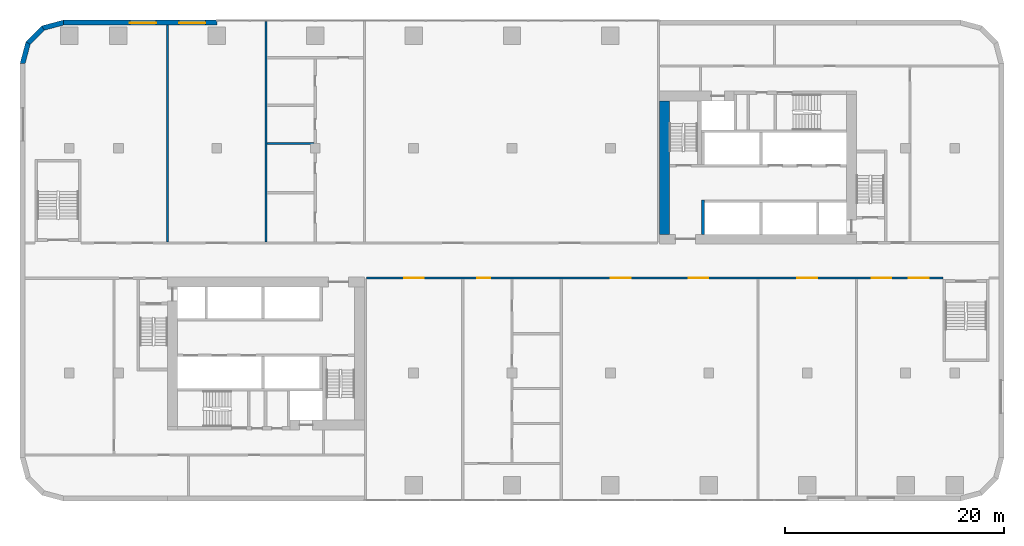
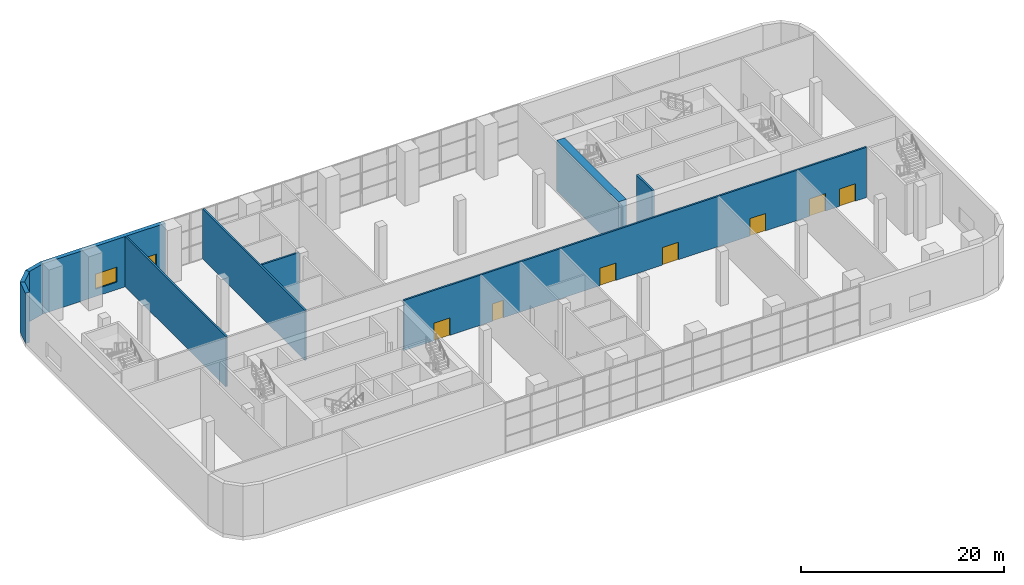
# One storey, part 10 of 24: 10 walls, 7 doors, 2 windows, 9 openings.
"""IFC4 building model written with IfcOpenShell, lengths in metres."""

from ifc_helpers import new_model, si_unit, direction, frame, frame_2d, origin, place, context, subcontext, project, spatial, polyline, rectangle, outline, extrude, material, layer, layer_set, type_object, element, fill, save


model = new_model("IFC4")

# Units and contexts
model_context = context("Model", 3, precision=1e-05, world=origin(), true_north=direction((0.0, 1.0)))
body_context = subcontext(model_context, "Body", "Model", "MODEL_VIEW")
ifc_project = project(units=[si_unit("LENGTHUNIT", "METRE"), si_unit("AREAUNIT", "SQUARE_METRE"), si_unit("VOLUMEUNIT", "CUBIC_METRE"), si_unit("PLANEANGLEUNIT", "RADIAN"), si_unit("MASSUNIT", "GRAM", prefix="KILO")], contexts=[model_context])

# Site, building, storey
site_placement = place(None, origin())
site = spatial("IfcSite", under=ifc_project, at=site_placement, CompositionType="ELEMENT")
building_placement = place(site_placement, origin())
building = spatial("IfcBuilding", under=site, at=building_placement, Name="Kajstack Hotel Tower", CompositionType="ELEMENT")
storey_placement = place(building_placement, frame((0.0, 0.0, 17.0)))
storey = spatial("IfcBuildingStorey", under=building, at=storey_placement, Name="L02", CompositionType="ELEMENT", Elevation=17.0)

# Wall
ifc_material_1 = material(Name="Concrete C60/75", Category="concrete")
ifc_layer_1 = layer(ifc_material_1, 0.89990234375)
ifc_layer_set_1 = layer_set([ifc_layer_1], Name="Core wall 900")
wall_type_1 = type_object("IfcWallType", Name="Core wall 900", PredefinedType="SHEAR", material=ifc_layer_set_1)
wall_1_placement = place(storey_placement, frame((13.949951171875, 2.39990234375, 0.0), z_axis=(0.0, 0.0, 1.0), x_axis=(0.0, 1.0, 0.0)))
element("IfcWall", 1, at=wall_1_placement, inside=storey, type_object=wall_type_1, Name="Core wall E RE", PredefinedType="SHEAR", context=body_context, shape_type="SweptSolid", body=[
    extrude(rectangle(XDim=12.2001953125, YDim=0.89990234375, at=frame_2d((6.10009765625, 0.0))), origin(), (0.0, 0.0, 1.0), 6.050048828125),
])

# Wall, openings, windows
ifc_material_2 = material(Name="Terracotta-faced brick masonry", Category="masonry")
ifc_layer_2 = layer(ifc_material_2, 0.449951171875)
ifc_layer_set_2 = layer_set([ifc_layer_2], Name="EW-TERRA")
wall_type_2 = type_object("IfcWallType", Name="EW-TERRA", PredefinedType="SOLIDWALL", material=ifc_layer_set_2)
wall_2_placement = place(storey_placement, frame((-27.0, 21.77490234375, 0.0), z_axis=(0.0, 0.0, 1.0), x_axis=(-1.0, 0.0, 0.0)))
wall_2 = element("IfcWall", 2, at=wall_2_placement, inside=storey, type_object=wall_type_2, Name="E-wall-L02-11-03", PredefinedType="SOLIDWALL", context=body_context, shape_type="SweptSolid", body=[
    extrude(rectangle(XDim=14.0, YDim=0.449951171875, at=frame_2d((7.0, 0.0))), origin(), (0.0, 0.0, 1.0), 6.050048828125),
])
opening_1_placement = place(wall_2_placement, frame((1.050048828125, 0.0, 0.89990234375)))
opening_1 = element("IfcOpeningElement", 3, at=opening_1_placement, cuts=wall_2, Name="Opening W4", PredefinedType="OPENING", context=body_context, shape_type="SweptSolid", body=[
    extrude(rectangle(XDim=2.39990234375, YDim=1.800048828125, at=frame_2d((1.199951171875, 0.89990234375))), frame((0.0, 0.23486328125, 0.0), z_axis=(0.0, -1.0, 0.0), x_axis=(1.0, 0.0, 0.0)), (0.0, 0.0, 1.0), 0.469970703125),
])
opening_2_placement = place(wall_2_placement, frame((5.550048828125, 0.0, 0.89990234375)))
opening_2 = element("IfcOpeningElement", 4, at=opening_2_placement, cuts=wall_2, Name="Opening W4", PredefinedType="OPENING", context=body_context, shape_type="SweptSolid", body=[
    extrude(rectangle(XDim=2.39990234375, YDim=1.800048828125, at=frame_2d((1.199951171875, 0.89990234375))), frame((0.0, 0.23486328125, 0.0), z_axis=(0.0, -1.0, 0.0), x_axis=(1.0, 0.0, 0.0)), (0.0, 0.0, 1.0), 0.469970703125),
])
ifc_material_3 = material(Name="Timber-aluminium window, triple glazed", Category="wood")
window_type = type_object("IfcWindowType", Name="WP1", PartitioningType="SINGLE_PANEL", PredefinedType="WINDOW", material=ifc_material_3)
window_1_placement = place(opening_1_placement, origin())
window_1 = element("IfcWindow", 5, at=window_1_placement, inside=storey, type_object=window_type, Name="Window W4 L02-11", OverallHeight=1.800048828125, OverallWidth=2.39990234375, PartitioningType="SINGLE_PANEL", PredefinedType="WINDOW", context=body_context, shape_type="SweptSolid", body=[
    extrude(rectangle(XDim=2.39990234375, YDim=1.800048828125, at=frame_2d((1.199951171875, 0.89990234375))), frame((0.0, 0.090087890625, 0.0), z_axis=(0.0, -1.0, 0.0), x_axis=(1.0, 0.0, 0.0)), (0.0, 0.0, 1.0), 0.06005859375),
])
fill(opening_1, window_1)
window_2_placement = place(opening_2_placement, origin())
window_2 = element("IfcWindow", 6, at=window_2_placement, inside=storey, type_object=window_type, Name="Window W4 L02-11", OverallHeight=1.800048828125, OverallWidth=2.39990234375, PartitioningType="SINGLE_PANEL", PredefinedType="WINDOW", context=body_context, shape_type="SweptSolid", body=[
    extrude(rectangle(XDim=2.39990234375, YDim=1.800048828125, at=frame_2d((1.199951171875, 0.89990234375))), frame((0.0, 0.090087890625, 0.0), z_axis=(0.0, -1.0, 0.0), x_axis=(1.0, 0.0, 0.0)), (0.0, 0.0, 1.0), 0.06005859375),
])
fill(opening_2, window_2)

# Walls
wall_3_placement = place(storey_placement, frame((-40.941650390625, 21.78271484375, 0.0), z_axis=(0.0, 0.0, 1.0), x_axis=(-0.965926999034, -0.25881466832, 0.0)))
element("IfcWall", 7, at=wall_3_placement, inside=storey, type_object=wall_type_2, Name="E-wall-L02-12-00", PredefinedType="SOLIDWALL", context=body_context, shape_type="SweptSolid", body=[
    extrude(outline(polyline([(0.000244140625, -0.22509765625), (2.070556640625, -0.224853515625), (1.9501953125, 0.22509765625), (0.12060546875, 0.22509765625), (0.000244140625, -0.22509765625)])), origin(), (0.0, 0.0, 1.0), 6.050048828125),
])
wall_4_placement = place(storey_placement, frame((-42.8408203125, 21.304931640625, 0.0), z_axis=(0.0, 0.0, 1.0), x_axis=(-0.707106781187, -0.707106781187, 0.0)))
element("IfcWall", 8, at=wall_4_placement, inside=storey, type_object=wall_type_2, Name="E-wall-L02-13-00", PredefinedType="SOLIDWALL", context=body_context, shape_type="SweptSolid", body=[
    extrude(outline(polyline([(0.0, -0.22509765625), (2.070556640625, -0.22509765625), (1.949951171875, 0.224853515625), (0.12060546875, 0.224853515625), (0.0, -0.22509765625)])), origin(), (0.0, 0.0, 1.0), 6.050048828125),
])
wall_5_placement = place(storey_placement, frame((-44.246826171875, 19.941650390625, 0.0), z_axis=(0.0, 0.0, 1.0), x_axis=(-0.25881466832, -0.965926999034, 0.0)))
element("IfcWall", 9, at=wall_5_placement, inside=storey, type_object=wall_type_2, Name="E-wall-L02-14-00", PredefinedType="SOLIDWALL", context=body_context, shape_type="SweptSolid", body=[
    extrude(outline(polyline([(-0.000244140625, -0.224853515625), (2.0703125, -0.22509765625), (1.949951171875, 0.22509765625), (0.120361328125, 0.22509765625), (-0.000244140625, -0.224853515625)])), origin(), (0.0, 0.0, 1.0), 6.050048828125),
])
ifc_material_4 = material(Name="Gypsum board on steel studs, mineral wool", Category="steel")
ifc_layer_3 = layer(ifc_material_4, 0.199951171875)
ifc_layer_set_3 = layer_set([ifc_layer_3], Name="Public partition 200")
wall_type_3 = type_object("IfcWallType", Name="Public partition 200", PredefinedType="PARTITIONING", material=ifc_layer_set_3)
wall_6_placement = place(storey_placement, frame((-22.39990234375, 10.699951171875, 0.0), z_axis=(0.0, 0.0, 1.0), x_axis=(1.0, 0.0, 0.0)))
element("IfcWall", 10, at=wall_6_placement, inside=storey, type_object=wall_type_3, Name="Partition C1wP1", PredefinedType="PARTITIONING", context=body_context, shape_type="SweptSolid", body=[
    extrude(rectangle(XDim=4.2998046875, YDim=0.199951171875, at=frame_2d((2.14990234375, 0.0))), origin(), (0.0, 0.0, 1.0), 6.050048828125),
])
wall_7_placement = place(storey_placement, frame((-22.5, 1.699951171875, 0.0), z_axis=(0.0, 0.0, 1.0), x_axis=(0.0, 1.0, 0.0)))
element("IfcWall", 11, at=wall_7_placement, inside=storey, type_object=wall_type_3, Name="Partition PX1", PredefinedType="PARTITIONING", context=body_context, shape_type="SweptSolid", body=[
    extrude(rectangle(XDim=20.150146484375, YDim=0.199951171875, at=frame_2d((10.0751953125, 0.0))), origin(), (0.0, 0.0, 1.0), 6.050048828125),
])
wall_8_placement = place(storey_placement, frame((-31.5, 1.699951171875, 0.0), z_axis=(0.0, 0.0, 1.0), x_axis=(0.0, 1.0, 0.0)))
element("IfcWall", 12, at=wall_8_placement, inside=storey, type_object=wall_type_3, Name="Partition PX2", PredefinedType="PARTITIONING", context=body_context, shape_type="SweptSolid", body=[
    extrude(rectangle(XDim=19.85009765625, YDim=0.199951171875, at=frame_2d((9.925048828125, 0.0))), origin(), (0.0, 0.0, 1.0), 6.050048828125),
])

# Wall, openings, doors
wall_9_placement = place(storey_placement, frame((-13.300048828125, -1.60009765625, 0.0), z_axis=(0.0, 0.0, 1.0), x_axis=(1.0, 0.0, 0.0)))
wall_9 = element("IfcWall", 13, at=wall_9_placement, inside=storey, type_object=wall_type_3, Name="Partition SFW", PredefinedType="PARTITIONING", context=body_context, shape_type="SweptSolid", body=[
    extrude(rectangle(XDim=52.699951171875, YDim=0.199951171875, at=frame_2d((26.35009765625, 0.0))), origin(), (0.0, 0.0, 1.0), 6.050048828125),
])
opening_3_placement = place(wall_9_placement, frame((3.449951171875, 0.0, 0.0)))
opening_3 = element("IfcOpeningElement", 14, at=opening_3_placement, cuts=wall_9, Name="Opening 02P12", PredefinedType="OPENING", context=body_context, shape_type="SweptSolid", body=[
    extrude(rectangle(XDim=1.800048828125, YDim=2.10009765625, at=frame_2d((0.89990234375, 1.050048828125))), frame((0.0, 0.10986328125, 0.0), z_axis=(0.0, -1.0, 0.0), x_axis=(1.0, 0.0, 0.0)), (0.0, 0.0, 1.0), 0.219970703125),
])
opening_4_placement = place(wall_9_placement, frame((10.125, 0.0, 0.0)))
opening_4 = element("IfcOpeningElement", 15, at=opening_4_placement, cuts=wall_9, Name="Opening 02P13", PredefinedType="OPENING", context=body_context, shape_type="SweptSolid", body=[
    extrude(rectangle(XDim=1.199951171875, YDim=2.10009765625, at=frame_2d((0.60009765625, 1.050048828125))), frame((0.0, 0.10986328125, 0.0), z_axis=(0.0, -1.0, 0.0), x_axis=(1.0, 0.0, 0.0)), (0.0, 0.0, 1.0), 0.219970703125),
])
opening_5_placement = place(wall_9_placement, frame((22.340087890625, 0.0, 0.0)))
opening_5 = element("IfcOpeningElement", 16, at=opening_5_placement, cuts=wall_9, Name="Opening 02P19", PredefinedType="OPENING", context=body_context, shape_type="SweptSolid", body=[
    extrude(rectangle(XDim=1.800048828125, YDim=2.10009765625, at=frame_2d((0.89990234375, 1.050048828125))), frame((0.0, 0.10986328125, 0.0), z_axis=(0.0, -1.0, 0.0), x_axis=(1.0, 0.0, 0.0)), (0.0, 0.0, 1.0), 0.219970703125),
])
opening_6_placement = place(wall_9_placement, frame((29.4599609375, 0.0, 0.0)))
opening_6 = element("IfcOpeningElement", 17, at=opening_6_placement, cuts=wall_9, Name="Opening 02P20", PredefinedType="OPENING", context=body_context, shape_type="SweptSolid", body=[
    extrude(rectangle(XDim=1.800048828125, YDim=2.10009765625, at=frame_2d((0.89990234375, 1.050048828125))), frame((0.0, 0.10986328125, 0.0), z_axis=(0.0, -1.0, 0.0), x_axis=(1.0, 0.0, 0.0)), (0.0, 0.0, 1.0), 0.219970703125),
])
opening_7_placement = place(wall_9_placement, frame((39.39990234375, 0.0, 0.0)))
opening_7 = element("IfcOpeningElement", 18, at=opening_7_placement, cuts=wall_9, Name="Opening 02P21", PredefinedType="OPENING", context=body_context, shape_type="SweptSolid", body=[
    extrude(rectangle(XDim=1.800048828125, YDim=2.10009765625, at=frame_2d((0.89990234375, 1.050048828125))), frame((0.0, 0.10986328125, 0.0), z_axis=(0.0, -1.0, 0.0), x_axis=(1.0, 0.0, 0.0)), (0.0, 0.0, 1.0), 0.219970703125),
])
opening_8_placement = place(wall_9_placement, frame((46.199951171875, 0.0, 0.0)))
opening_8 = element("IfcOpeningElement", 19, at=opening_8_placement, cuts=wall_9, Name="Opening 02P22", PredefinedType="OPENING", context=body_context, shape_type="SweptSolid", body=[
    extrude(rectangle(XDim=1.800048828125, YDim=2.10009765625, at=frame_2d((0.89990234375, 1.050048828125))), frame((0.0, 0.10986328125, 0.0), z_axis=(0.0, -1.0, 0.0), x_axis=(1.0, 0.0, 0.0)), (0.0, 0.0, 1.0), 0.219970703125),
])
opening_9_placement = place(wall_9_placement, frame((49.60009765625, 0.0, 0.0)))
opening_9 = element("IfcOpeningElement", 20, at=opening_9_placement, cuts=wall_9, Name="Opening 02P23", PredefinedType="OPENING", context=body_context, shape_type="SweptSolid", body=[
    extrude(rectangle(XDim=1.800048828125, YDim=2.10009765625, at=frame_2d((0.89990234375, 1.050048828125))), frame((0.0, 0.10986328125, 0.0), z_axis=(0.0, -1.0, 0.0), x_axis=(1.0, 0.0, 0.0)), (0.0, 0.0, 1.0), 0.219970703125),
])
ifc_material_5 = material(Name="Timber leaf, fire-rated", Category="wood")
door_type_1 = type_object("IfcDoorType", Name="Public corridor door 1200", OperationType="SINGLE_SWING_LEFT", PredefinedType="DOOR", material=ifc_material_5)
door_1_placement = place(opening_4_placement, origin())
door_1 = element("IfcDoor", 21, at=door_1_placement, inside=storey, type_object=door_type_1, Name="Door 02P13", OperationType="SINGLE_SWING_RIGHT", OverallHeight=2.10009765625, OverallWidth=1.199951171875, PredefinedType="DOOR", context=body_context, shape_type="SweptSolid", body=[
    extrude(rectangle(XDim=1.199951171875, YDim=2.10009765625, at=frame_2d((0.60009765625, 1.050048828125))), frame((0.0, 0.02490234375, 0.0), z_axis=(0.0, -1.0, 0.0), x_axis=(1.0, 0.0, 0.0)), (0.0, 0.0, 1.0), 0.050048828125),
])
fill(opening_4, door_1)
ifc_material_6 = material(Name="Glazed timber frame, fire-rated glass", Category="wood")
door_type_2 = type_object("IfcDoorType", Name="Public double door 1800", OperationType="DOUBLE_DOOR_DOUBLE_SWING", PredefinedType="DOOR", material=ifc_material_6)
door_2_placement = place(opening_3_placement, origin())
door_2 = element("IfcDoor", 22, at=door_2_placement, inside=storey, type_object=door_type_2, Name="Door 02P12", OperationType="DOUBLE_DOOR_DOUBLE_SWING", OverallHeight=2.10009765625, OverallWidth=1.800048828125, PredefinedType="DOOR", context=body_context, shape_type="SweptSolid", body=[
    extrude(rectangle(XDim=1.800048828125, YDim=2.10009765625, at=frame_2d((0.89990234375, 1.050048828125))), frame((0.0, 0.02490234375, 0.0), z_axis=(0.0, -1.0, 0.0), x_axis=(1.0, 0.0, 0.0)), (0.0, 0.0, 1.0), 0.050048828125),
])
fill(opening_3, door_2)
door_3_placement = place(opening_5_placement, origin())
door_3 = element("IfcDoor", 23, at=door_3_placement, inside=storey, type_object=door_type_2, Name="Door 02P19", OperationType="DOUBLE_DOOR_DOUBLE_SWING", OverallHeight=2.10009765625, OverallWidth=1.800048828125, PredefinedType="DOOR", context=body_context, shape_type="SweptSolid", body=[
    extrude(rectangle(XDim=1.800048828125, YDim=2.10009765625, at=frame_2d((0.89990234375, 1.050048828125))), frame((0.0, 0.02490234375, 0.0), z_axis=(0.0, -1.0, 0.0), x_axis=(1.0, 0.0, 0.0)), (0.0, 0.0, 1.0), 0.050048828125),
])
fill(opening_5, door_3)
door_4_placement = place(opening_6_placement, origin())
door_4 = element("IfcDoor", 24, at=door_4_placement, inside=storey, type_object=door_type_2, Name="Door 02P20", OperationType="DOUBLE_DOOR_DOUBLE_SWING", OverallHeight=2.10009765625, OverallWidth=1.800048828125, PredefinedType="DOOR", context=body_context, shape_type="SweptSolid", body=[
    extrude(rectangle(XDim=1.800048828125, YDim=2.10009765625, at=frame_2d((0.89990234375, 1.050048828125))), frame((0.0, 0.02490234375, 0.0), z_axis=(0.0, -1.0, 0.0), x_axis=(1.0, 0.0, 0.0)), (0.0, 0.0, 1.0), 0.050048828125),
])
fill(opening_6, door_4)
door_5_placement = place(opening_7_placement, origin())
door_5 = element("IfcDoor", 25, at=door_5_placement, inside=storey, type_object=door_type_2, Name="Door 02P21", OperationType="DOUBLE_DOOR_DOUBLE_SWING", OverallHeight=2.10009765625, OverallWidth=1.800048828125, PredefinedType="DOOR", context=body_context, shape_type="SweptSolid", body=[
    extrude(rectangle(XDim=1.800048828125, YDim=2.10009765625, at=frame_2d((0.89990234375, 1.050048828125))), frame((0.0, 0.02490234375, 0.0), z_axis=(0.0, -1.0, 0.0), x_axis=(1.0, 0.0, 0.0)), (0.0, 0.0, 1.0), 0.050048828125),
])
fill(opening_7, door_5)
door_6_placement = place(opening_8_placement, origin())
door_6 = element("IfcDoor", 26, at=door_6_placement, inside=storey, type_object=door_type_2, Name="Door 02P22", OperationType="DOUBLE_DOOR_DOUBLE_SWING", OverallHeight=2.10009765625, OverallWidth=1.800048828125, PredefinedType="DOOR", context=body_context, shape_type="SweptSolid", body=[
    extrude(rectangle(XDim=1.800048828125, YDim=2.10009765625, at=frame_2d((0.89990234375, 1.050048828125))), frame((0.0, 0.02490234375, 0.0), z_axis=(0.0, -1.0, 0.0), x_axis=(1.0, 0.0, 0.0)), (0.0, 0.0, 1.0), 0.050048828125),
])
fill(opening_8, door_6)
door_7_placement = place(opening_9_placement, origin())
door_7 = element("IfcDoor", 27, at=door_7_placement, inside=storey, type_object=door_type_2, Name="Door 02P23", OperationType="DOUBLE_DOOR_DOUBLE_SWING", OverallHeight=2.10009765625, OverallWidth=1.800048828125, PredefinedType="DOOR", context=body_context, shape_type="SweptSolid", body=[
    extrude(rectangle(XDim=1.800048828125, YDim=2.10009765625, at=frame_2d((0.89990234375, 1.050048828125))), frame((0.0, 0.02490234375, 0.0), z_axis=(0.0, -1.0, 0.0), x_axis=(1.0, 0.0, 0.0)), (0.0, 0.0, 1.0), 0.050048828125),
])
fill(opening_9, door_7)

# Wall
ifc_material_7 = material(Name="Concrete C50/60", Category="concrete")
ifc_layer_4 = layer(ifc_material_7, 0.25)
ifc_layer_set_4 = layer_set([ifc_layer_4], Name="Shaft wall 250")
wall_type_4 = type_object("IfcWallType", Name="Shaft wall 250", PredefinedType="SHEAR", material=ifc_layer_set_4)
wall_10_placement = place(storey_placement, frame((17.47509765625, 2.39990234375, 0.0), z_axis=(0.0, 0.0, 1.0), x_axis=(0.0, 1.0, 0.0)))
element("IfcWall", 28, at=wall_10_placement, inside=storey, type_object=wall_type_4, Name="Core wall E AE", PredefinedType="SHEAR", context=body_context, shape_type="SweptSolid", body=[
    extrude(rectangle(XDim=3.150146484375, YDim=0.25, at=frame_2d((1.5751953125, 0.0))), origin(), (0.0, 0.0, 1.0), 6.050048828125),
])

save(model, "model.ifc")
